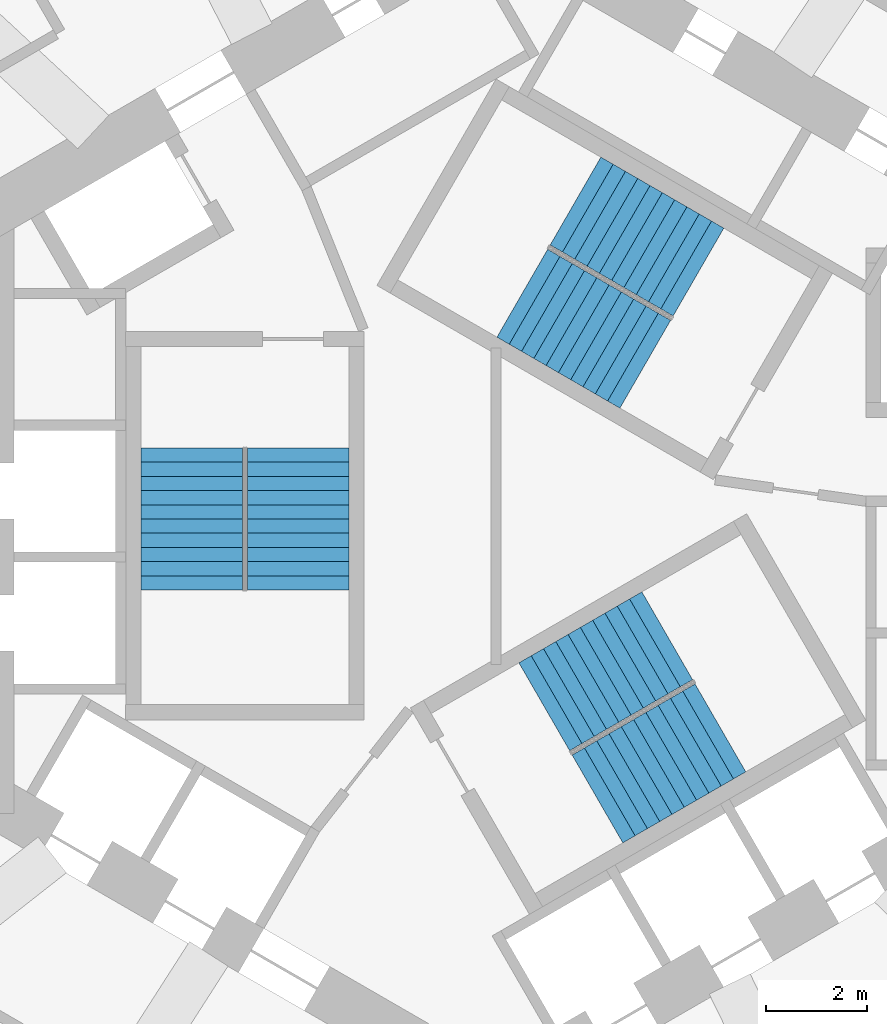
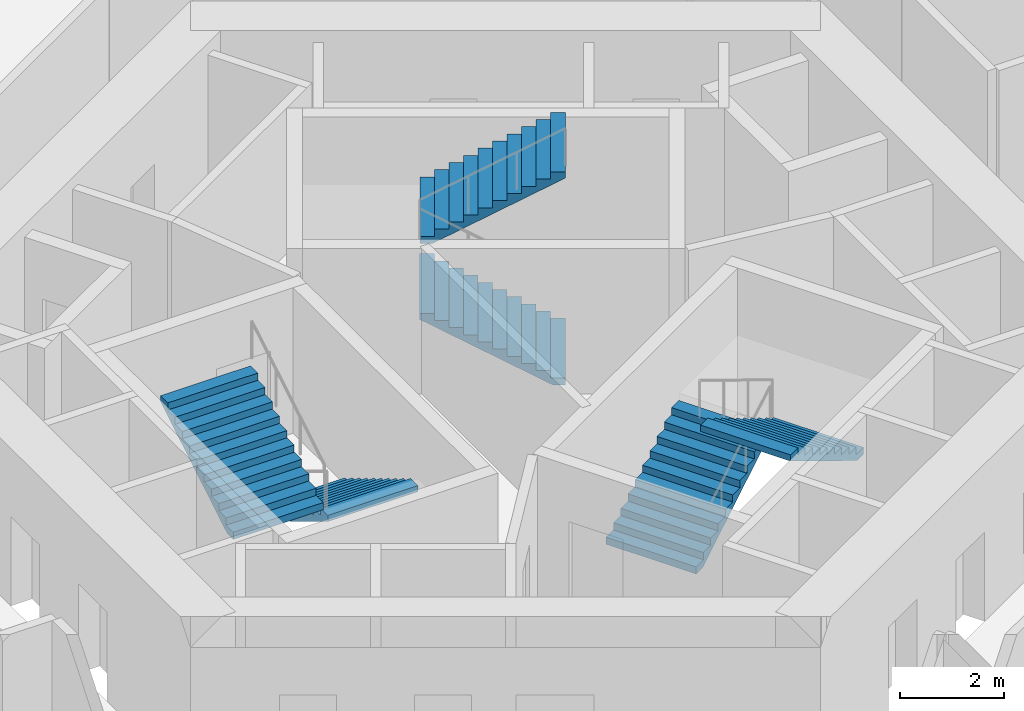
# One storey, part 8 of 10: 6 stair flights, 3 elements without a shape of their own.
"""IFC4 building model written with IfcOpenShell, lengths in metres."""

from ifc_helpers import new_model, si_unit, direction, frame, origin, place, context, subcontext, project, spatial, triangles, source, transform, mapped, material, type_object, element, aggregate, save


model = new_model("IFC4")

# Units and contexts
model_context = context("Model", 3, precision=1e-05, world=origin(), true_north=direction((0.0, 1.0)))
body_context = subcontext(model_context, "Body", "Model", "MODEL_VIEW")
ifc_project = project(units=[si_unit("LENGTHUNIT", "METRE"), si_unit("AREAUNIT", "SQUARE_METRE"), si_unit("VOLUMEUNIT", "CUBIC_METRE"), si_unit("PLANEANGLEUNIT", "RADIAN"), si_unit("MASSUNIT", "GRAM", prefix="KILO")], contexts=[model_context])

# Site, building, storey
site_placement = place(None, origin())
site = spatial("IfcSite", under=ifc_project, at=site_placement, CompositionType="ELEMENT")
building_placement = place(site_placement, origin())
building = spatial("IfcBuilding", under=site, at=building_placement, Name="Vanh Sen Convention Tower", CompositionType="ELEMENT")
storey_placement = place(building_placement, frame((0.0, 0.0, 157.699951171875)))
storey = spatial("IfcBuildingStorey", under=building, at=storey_placement, Name="L38", CompositionType="ELEMENT", Elevation=157.699951171875)

# Stair, stair flights
ifc_material_1 = material(Name="Concrete C50/60", Category="concrete")
stair_type_1 = type_object("IfcStairType", Name="Exit stair ST1 22 risers at 168.2", PredefinedType="HALF_TURN_STAIR", material=ifc_material_1)
stair_1_placement = place(storey_placement, origin())
stair_1 = element("IfcStair", 1, at=stair_1_placement, inside=storey, type_object=stair_type_1, Name="Exit stair ST1 L38", PredefinedType="HALF_TURN_STAIR")
ifc_material_2 = material(Name="Concrete C40/50", Category="concrete")
stair_flight_type = type_object("IfcStairFlightType", Name="Stair flight 2000", PredefinedType="STRAIGHT", material=ifc_material_2)
shared_shape = source(origin(), body_context, "Body", "Tessellation", [
    triangles([(0.24267578125, 1.0, 0.0), (0.0, 1.0, 0.0), (0.0, 1.0, 0.168212890625), (0.280029296875, 1.0, 0.168212890625), (0.280029296875, 1.0, 0.33642578125), (0.56005859375, 1.0, 0.33642578125), (0.56005859375, 1.0, 0.504638671875), (0.840087890625, 1.0, 0.504638671875), (0.840087890625, 1.0, 0.672607421875), (1.1201171875, 1.0, 0.672607421875), (1.1201171875, 1.0, 0.8408203125), (1.39990234375, 1.0, 0.8408203125), (1.39990234375, 1.0, 1.009033203125), (1.679931640625, 1.0, 1.009033203125), (1.679931640625, 1.0, 1.17724609375), (1.9599609375, 1.0, 1.17724609375), (1.9599609375, 1.0, 1.345458984375), (2.239990234375, 1.0, 1.345458984375), (2.239990234375, 1.0, 1.513671875), (2.52001953125, 1.0, 1.513671875), (2.52001953125, 1.0, 1.681884765625), (2.800048828125, 1.0, 1.681884765625), (2.800048828125, 1.0, 1.535888671875), (0.24267578125, -1.0, 0.0), (0.0, -1.0, 0.0), (0.0, -1.0, 0.168212890625), (0.280029296875, -1.0, 0.168212890625), (0.280029296875, -1.0, 0.33642578125), (0.56005859375, -1.0, 0.33642578125), (0.56005859375, -1.0, 0.504638671875), (0.840087890625, -1.0, 0.504638671875), (0.840087890625, -1.0, 0.672607421875), (1.1201171875, -1.0, 0.672607421875), (1.1201171875, -1.0, 0.8408203125), (1.39990234375, -1.0, 0.8408203125), (1.39990234375, -1.0, 1.009033203125), (1.679931640625, -1.0, 1.009033203125), (1.679931640625, -1.0, 1.17724609375), (1.9599609375, -1.0, 1.17724609375), (1.9599609375, -1.0, 1.345458984375), (2.239990234375, -1.0, 1.345458984375), (2.239990234375, -1.0, 1.513671875), (2.52001953125, -1.0, 1.513671875), (2.52001953125, -1.0, 1.681884765625), (2.800048828125, -1.0, 1.681884765625), (2.800048828125, -1.0, 1.535888671875), (0.0, 0.0400390625, 0.0), (0.0, 0.0390625, 0.0), (0.0, 0.0380859375, 0.0), (0.0, 0.037109375, 0.0), (0.0, 0.035888671875, 0.0), (0.0, 0.034912109375, 0.0), (0.0, 0.033935546875, 0.0), (0.0, 0.032958984375, 0.0), (0.0, 0.031982421875, 0.0), (0.0, 0.031005859375, 0.0), (0.0, 0.030029296875, 0.0), (0.0, 0.029052734375, 0.0), (0.0, 0.028076171875, 0.0), (0.0, 0.027099609375, 0.0), (0.0, 0.02587890625, 0.0), (0.0, 0.02490234375, 0.0), (0.0, 0.02392578125, 0.0), (0.0, 0.02294921875, 0.0), (0.0, 0.02197265625, 0.0), (0.0, 0.02099609375, 0.0), (0.0, 0.02001953125, 0.0), (0.0, 0.01904296875, 0.0), (0.0, 0.01806640625, 0.0), (0.0, 0.01708984375, 0.0), (0.0, 0.01611328125, 0.0), (0.0, 0.014892578125, 0.0), (0.0, 0.013916015625, 0.0), (0.0, 0.012939453125, 0.0), (0.0, 0.011962890625, 0.0), (0.0, 0.010986328125, 0.0), (0.0, 0.010009765625, 0.0), (0.0, 0.009033203125, 0.0), (0.0, 0.008056640625, 0.0), (0.0, 0.007080078125, 0.0), (0.0, 0.006103515625, 0.0), (0.0, 0.0048828125, 0.0), (0.0, 0.00390625, 0.0), (0.0, 0.0029296875, 0.0), (0.0, 0.001953125, 0.0), (0.0, 0.0009765625, 0.0), (0.0, 0.0, 0.0), (0.0, -0.0009765625, 0.0), (0.0, -0.001953125, 0.0), (0.0, -0.0029296875, 0.0), (0.0, -0.00390625, 0.0), (0.0, -0.0048828125, 0.0), (0.0, -0.006103515625, 0.0), (0.0, -0.007080078125, 0.0), (0.0, -0.008056640625, 0.0), (0.0, -0.009033203125, 0.0), (0.0, -0.010009765625, 0.0), (0.0, -0.010986328125, 0.0), (0.0, -0.011962890625, 0.0), (0.0, -0.012939453125, 0.0), (0.0, -0.013916015625, 0.0), (0.0, -0.014892578125, 0.0), (0.0, -0.01611328125, 0.0), (0.0, -0.01708984375, 0.0), (0.0, -0.01806640625, 0.0), (0.0, -0.01904296875, 0.0), (0.0, -0.02001953125, 0.0), (0.0, -0.02099609375, 0.0), (0.0, -0.02197265625, 0.0), (0.0, -0.02294921875, 0.0), (0.0, -0.02392578125, 0.0), (0.0, -0.02490234375, 0.0), (0.0, -0.02587890625, 0.0), (0.0, -0.027099609375, 0.0), (0.0, -0.028076171875, 0.0), (0.0, -0.029052734375, 0.0), (0.0, -0.030029296875, 0.0), (0.0, -0.031005859375, 0.0), (0.0, -0.031982421875, 0.0), (0.0, -0.032958984375, 0.0), (0.0, -0.033935546875, 0.0), (0.0, -0.034912109375, 0.0), (0.0, -0.035888671875, 0.0), (0.0, -0.037109375, 0.0), (0.0, -0.0380859375, 0.0), (0.0, -0.0390625, 0.0), (0.0, -0.0400390625, 0.0), (0.0, 0.0400390625, 0.168212890625), (0.0, 0.0390625, 0.168212890625), (0.0, 0.0380859375, 0.168212890625), (0.0, 0.037109375, 0.168212890625), (0.0, 0.035888671875, 0.168212890625), (0.0, 0.034912109375, 0.168212890625), (0.0, 0.033935546875, 0.168212890625), (0.0, 0.032958984375, 0.168212890625), (0.0, 0.031982421875, 0.168212890625), (0.0, 0.031005859375, 0.168212890625), (0.0, 0.030029296875, 0.168212890625), (0.0, 0.029052734375, 0.168212890625), (0.0, 0.028076171875, 0.168212890625), (0.0, 0.027099609375, 0.168212890625), (0.0, 0.02587890625, 0.168212890625), (0.0, 0.02490234375, 0.168212890625), (0.0, 0.02392578125, 0.168212890625), (0.0, 0.02294921875, 0.168212890625), (0.0, 0.02197265625, 0.168212890625), (0.0, 0.02099609375, 0.168212890625), (0.0, 0.02001953125, 0.168212890625), (0.0, 0.01904296875, 0.168212890625), (0.0, 0.01806640625, 0.168212890625), (0.0, 0.01708984375, 0.168212890625), (0.0, 0.01611328125, 0.168212890625), (0.0, 0.014892578125, 0.168212890625), (0.0, 0.013916015625, 0.168212890625), (0.0, 0.012939453125, 0.168212890625), (0.0, 0.011962890625, 0.168212890625), (0.0, 0.010986328125, 0.168212890625), (0.0, 0.010009765625, 0.168212890625), (0.0, 0.009033203125, 0.168212890625), (0.0, 0.008056640625, 0.168212890625), (0.0, 0.007080078125, 0.168212890625), (0.0, 0.006103515625, 0.168212890625), (0.0, 0.0048828125, 0.168212890625), (0.0, 0.00390625, 0.168212890625), (0.0, 0.0029296875, 0.168212890625), (0.0, 0.001953125, 0.168212890625), (0.0, 0.0009765625, 0.168212890625), (0.0, 0.0, 0.168212890625), (0.0, -0.0009765625, 0.168212890625), (0.0, -0.001953125, 0.168212890625), (0.0, -0.0029296875, 0.168212890625), (0.0, -0.00390625, 0.168212890625), (0.0, -0.0048828125, 0.168212890625), (0.0, -0.006103515625, 0.168212890625), (0.0, -0.007080078125, 0.168212890625), (0.0, -0.008056640625, 0.168212890625), (0.0, -0.009033203125, 0.168212890625), (0.0, -0.010009765625, 0.168212890625), (0.0, -0.010986328125, 0.168212890625), (0.0, -0.011962890625, 0.168212890625), (0.0, -0.012939453125, 0.168212890625), (0.0, -0.013916015625, 0.168212890625), (0.0, -0.014892578125, 0.168212890625), (0.0, -0.01611328125, 0.168212890625), (0.0, -0.01708984375, 0.168212890625), (0.0, -0.01806640625, 0.168212890625), (0.0, -0.01904296875, 0.168212890625), (0.0, -0.02001953125, 0.168212890625), (0.0, -0.02099609375, 0.168212890625), (0.0, -0.02197265625, 0.168212890625), (0.0, -0.02294921875, 0.168212890625), (0.0, -0.02392578125, 0.168212890625), (0.0, -0.02490234375, 0.168212890625), (0.0, -0.02587890625, 0.168212890625), (0.0, -0.027099609375, 0.168212890625), (0.0, -0.028076171875, 0.168212890625), (0.0, -0.029052734375, 0.168212890625), (0.0, -0.030029296875, 0.168212890625), (0.0, -0.031005859375, 0.168212890625), (0.0, -0.031982421875, 0.168212890625), (0.0, -0.032958984375, 0.168212890625), (0.0, -0.033935546875, 0.168212890625), (0.0, -0.034912109375, 0.168212890625), (0.0, -0.035888671875, 0.168212890625), (0.0, -0.037109375, 0.168212890625), (0.0, -0.0380859375, 0.168212890625), (0.0, -0.0390625, 0.168212890625), (0.0, -0.0400390625, 0.168212890625), (0.280029296875, 0.0, 0.168212890625), (0.280029296875, 0.0, 0.33642578125), (0.56005859375, 0.0, 0.33642578125), (0.56005859375, 0.0, 0.504638671875), (0.840087890625, 0.0, 0.504638671875), (0.840087890625, 0.0, 0.672607421875), (1.1201171875, 0.0, 0.672607421875), (1.1201171875, 0.0, 0.8408203125), (1.39990234375, 0.0, 0.8408203125), (1.39990234375, 0.0, 1.009033203125), (1.679931640625, 0.0, 1.009033203125), (1.679931640625, 0.0, 1.17724609375), (1.9599609375, 0.0, 1.17724609375), (1.9599609375, 0.0, 1.345458984375), (2.239990234375, 0.0, 1.345458984375), (2.239990234375, 0.0, 1.513671875), (2.52001953125, 0.0, 1.513671875), (2.52001953125, 0.0, 1.681884765625), (2.800048828125, 0.0400390625, 1.681884765625), (2.800048828125, 0.0390625, 1.681884765625), (2.800048828125, 0.0380859375, 1.681884765625), (2.800048828125, 0.037109375, 1.681884765625), (2.800048828125, 0.035888671875, 1.681884765625), (2.800048828125, 0.034912109375, 1.681884765625), (2.800048828125, 0.033935546875, 1.681884765625), (2.800048828125, 0.032958984375, 1.681884765625), (2.800048828125, 0.031982421875, 1.681884765625), (2.800048828125, 0.031005859375, 1.681884765625), (2.800048828125, 0.030029296875, 1.681884765625), (2.800048828125, 0.029052734375, 1.681884765625), (2.800048828125, 0.028076171875, 1.681884765625), (2.800048828125, 0.027099609375, 1.681884765625), (2.800048828125, 0.02587890625, 1.681884765625), (2.800048828125, 0.02490234375, 1.681884765625), (2.800048828125, 0.02392578125, 1.681884765625), (2.800048828125, 0.02294921875, 1.681884765625), (2.800048828125, 0.02197265625, 1.681884765625), (2.800048828125, 0.02099609375, 1.681884765625), (2.800048828125, 0.02001953125, 1.681884765625), (2.800048828125, 0.01904296875, 1.681884765625), (2.800048828125, 0.01806640625, 1.681884765625), (2.800048828125, 0.01708984375, 1.681884765625), (2.800048828125, 0.01611328125, 1.681884765625), (2.800048828125, 0.014892578125, 1.681884765625), (2.800048828125, 0.013916015625, 1.681884765625), (2.800048828125, 0.012939453125, 1.681884765625), (2.800048828125, 0.011962890625, 1.681884765625), (2.800048828125, 0.010986328125, 1.681884765625), (2.800048828125, 0.010009765625, 1.681884765625), (2.800048828125, 0.009033203125, 1.681884765625), (2.800048828125, 0.008056640625, 1.681884765625), (2.800048828125, 0.007080078125, 1.681884765625), (2.800048828125, 0.006103515625, 1.681884765625), (2.800048828125, 0.0048828125, 1.681884765625), (2.800048828125, 0.00390625, 1.681884765625), (2.800048828125, 0.0029296875, 1.681884765625), (2.800048828125, 0.001953125, 1.681884765625), (2.800048828125, 0.0009765625, 1.681884765625), (2.800048828125, 0.0, 1.681884765625), (2.800048828125, -0.0009765625, 1.681884765625), (2.800048828125, -0.001953125, 1.681884765625), (2.800048828125, -0.0029296875, 1.681884765625), (2.800048828125, -0.00390625, 1.681884765625), (2.800048828125, -0.0048828125, 1.681884765625), (2.800048828125, -0.006103515625, 1.681884765625), (2.800048828125, -0.007080078125, 1.681884765625), (2.800048828125, -0.008056640625, 1.681884765625), (2.800048828125, -0.009033203125, 1.681884765625), (2.800048828125, -0.010009765625, 1.681884765625), (2.800048828125, -0.010986328125, 1.681884765625), (2.800048828125, -0.011962890625, 1.681884765625), (2.800048828125, -0.012939453125, 1.681884765625), (2.800048828125, -0.013916015625, 1.681884765625), (2.800048828125, -0.014892578125, 1.681884765625), (2.800048828125, -0.01611328125, 1.681884765625), (2.800048828125, -0.01708984375, 1.681884765625), (2.800048828125, -0.01806640625, 1.681884765625), (2.800048828125, -0.01904296875, 1.681884765625), (2.800048828125, -0.02001953125, 1.681884765625), (2.800048828125, -0.02099609375, 1.681884765625), (2.800048828125, -0.02197265625, 1.681884765625), (2.800048828125, -0.02294921875, 1.681884765625), (2.800048828125, -0.02392578125, 1.681884765625), (2.800048828125, -0.02490234375, 1.681884765625), (2.800048828125, -0.02587890625, 1.681884765625), (2.800048828125, -0.027099609375, 1.681884765625), (2.800048828125, -0.028076171875, 1.681884765625), (2.800048828125, -0.029052734375, 1.681884765625), (2.800048828125, -0.030029296875, 1.681884765625), (2.800048828125, -0.031005859375, 1.681884765625), (2.800048828125, -0.031982421875, 1.681884765625), (2.800048828125, -0.032958984375, 1.681884765625), (2.800048828125, -0.033935546875, 1.681884765625), (2.800048828125, -0.034912109375, 1.681884765625), (2.800048828125, -0.035888671875, 1.681884765625), (2.800048828125, -0.037109375, 1.681884765625), (2.800048828125, -0.0380859375, 1.681884765625), (2.800048828125, -0.0390625, 1.681884765625), (2.800048828125, -0.0400390625, 1.681884765625), (2.800048828125, 0.0400390625, 1.535888671875), (2.800048828125, 0.0390625, 1.535888671875), (2.800048828125, 0.0380859375, 1.535888671875), (2.800048828125, 0.037109375, 1.535888671875), (2.800048828125, 0.035888671875, 1.535888671875), (2.800048828125, 0.034912109375, 1.535888671875), (2.800048828125, 0.033935546875, 1.535888671875), (2.800048828125, 0.032958984375, 1.535888671875), (2.800048828125, 0.031982421875, 1.535888671875), (2.800048828125, 0.031005859375, 1.535888671875), (2.800048828125, 0.030029296875, 1.535888671875), (2.800048828125, 0.029052734375, 1.535888671875), (2.800048828125, 0.028076171875, 1.535888671875), (2.800048828125, 0.027099609375, 1.535888671875), (2.800048828125, 0.02587890625, 1.535888671875), (2.800048828125, 0.02490234375, 1.535888671875), (2.800048828125, 0.02392578125, 1.535888671875), (2.800048828125, 0.02294921875, 1.535888671875), (2.800048828125, 0.02197265625, 1.535888671875), (2.800048828125, 0.02099609375, 1.535888671875), (2.800048828125, 0.02001953125, 1.535888671875), (2.800048828125, 0.01904296875, 1.535888671875), (2.800048828125, 0.01806640625, 1.535888671875), (2.800048828125, 0.01708984375, 1.535888671875), (2.800048828125, 0.01611328125, 1.535888671875), (2.800048828125, 0.014892578125, 1.535888671875), (2.800048828125, 0.013916015625, 1.535888671875), (2.800048828125, 0.012939453125, 1.535888671875), (2.800048828125, 0.011962890625, 1.535888671875), (2.800048828125, 0.010986328125, 1.535888671875), (2.800048828125, 0.010009765625, 1.535888671875), (2.800048828125, 0.009033203125, 1.535888671875), (2.800048828125, 0.008056640625, 1.535888671875), (2.800048828125, 0.007080078125, 1.535888671875), (2.800048828125, 0.006103515625, 1.535888671875), (2.800048828125, 0.0048828125, 1.535888671875), (2.800048828125, 0.00390625, 1.535888671875), (2.800048828125, 0.0029296875, 1.535888671875), (2.800048828125, 0.001953125, 1.535888671875), (2.800048828125, 0.0009765625, 1.535888671875), (2.800048828125, 0.0, 1.535888671875), (2.800048828125, -0.0009765625, 1.535888671875), (2.800048828125, -0.001953125, 1.535888671875), (2.800048828125, -0.0029296875, 1.535888671875), (2.800048828125, -0.00390625, 1.535888671875), (2.800048828125, -0.0048828125, 1.535888671875), (2.800048828125, -0.006103515625, 1.535888671875), (2.800048828125, -0.007080078125, 1.535888671875), (2.800048828125, -0.008056640625, 1.535888671875), (2.800048828125, -0.009033203125, 1.535888671875), (2.800048828125, -0.010009765625, 1.535888671875), (2.800048828125, -0.010986328125, 1.535888671875), (2.800048828125, -0.011962890625, 1.535888671875), (2.800048828125, -0.012939453125, 1.535888671875), (2.800048828125, -0.013916015625, 1.535888671875), (2.800048828125, -0.014892578125, 1.535888671875), (2.800048828125, -0.01611328125, 1.535888671875), (2.800048828125, -0.01708984375, 1.535888671875), (2.800048828125, -0.01806640625, 1.535888671875), (2.800048828125, -0.01904296875, 1.535888671875), (2.800048828125, -0.02001953125, 1.535888671875), (2.800048828125, -0.02099609375, 1.535888671875), (2.800048828125, -0.02197265625, 1.535888671875), (2.800048828125, -0.02294921875, 1.535888671875), (2.800048828125, -0.02392578125, 1.535888671875), (2.800048828125, -0.02490234375, 1.535888671875), (2.800048828125, -0.02587890625, 1.535888671875), (2.800048828125, -0.027099609375, 1.535888671875), (2.800048828125, -0.028076171875, 1.535888671875), (2.800048828125, -0.029052734375, 1.535888671875), (2.800048828125, -0.030029296875, 1.535888671875), (2.800048828125, -0.031005859375, 1.535888671875), (2.800048828125, -0.031982421875, 1.535888671875), (2.800048828125, -0.032958984375, 1.535888671875), (2.800048828125, -0.033935546875, 1.535888671875), (2.800048828125, -0.034912109375, 1.535888671875), (2.800048828125, -0.035888671875, 1.535888671875), (2.800048828125, -0.037109375, 1.535888671875), (2.800048828125, -0.0380859375, 1.535888671875), (2.800048828125, -0.0390625, 1.535888671875), (2.800048828125, -0.0400390625, 1.535888671875), (0.24267578125, 0.0, 0.0)], [[1, 2, 3], [1, 3, 4], [4, 5, 6], [1, 4, 6], [6, 7, 8], [1, 6, 8], [8, 9, 10], [1, 8, 10], [10, 11, 12], [1, 10, 12], [12, 13, 14], [1, 12, 14], [14, 15, 16], [1, 14, 16], [16, 17, 18], [1, 16, 18], [18, 19, 20], [1, 18, 20], [20, 21, 22], [1, 20, 22], [22, 23, 1], [24, 26, 25], [24, 27, 26], [27, 29, 28], [24, 29, 27], [29, 31, 30], [24, 31, 29], [31, 33, 32], [24, 33, 31], [33, 35, 34], [24, 35, 33], [35, 37, 36], [24, 37, 35], [37, 39, 38], [24, 39, 37], [39, 41, 40], [24, 41, 39], [41, 43, 42], [24, 43, 41], [43, 45, 44], [24, 45, 43], [45, 24, 46], [2, 128, 3], [2, 47, 128], [47, 129, 128], [47, 48, 129], [48, 130, 129], [48, 49, 130], [49, 131, 130], [49, 50, 131], [50, 132, 131], [50, 51, 132], [51, 133, 132], [51, 52, 133], [52, 134, 133], [52, 53, 134], [53, 135, 134], [53, 54, 135], [54, 136, 135], [54, 55, 136], [55, 137, 136], [55, 56, 137], [56, 138, 137], [56, 57, 138], [57, 139, 138], [57, 58, 139], [58, 140, 139], [58, 59, 140], [59, 141, 140], [59, 60, 141], [60, 142, 141], [60, 61, 142], [61, 143, 142], [61, 62, 143], [62, 144, 143], [62, 63, 144], [63, 145, 144], [63, 64, 145], [64, 146, 145], [64, 65, 146], [65, 147, 146], [65, 66, 147], [66, 148, 147], [66, 67, 148], [67, 149, 148], [67, 68, 149], [68, 150, 149], [68, 69, 150], [69, 151, 150], [69, 70, 151], [70, 152, 151], [70, 71, 152], [71, 153, 152], [71, 72, 153], [72, 154, 153], [72, 73, 154], [73, 155, 154], [73, 74, 155], [74, 156, 155], [74, 75, 156], [75, 157, 156], [75, 76, 157], [76, 158, 157], [76, 77, 158], [77, 159, 158], [77, 78, 159], [78, 160, 159], [78, 79, 160], [79, 161, 160], [79, 80, 161], [80, 162, 161], [80, 81, 162], [81, 163, 162], [81, 82, 163], [82, 164, 163], [82, 83, 164], [83, 165, 164], [83, 84, 165], [84, 166, 165], [84, 85, 166], [85, 167, 166], [85, 86, 167], [86, 168, 167], [86, 87, 168], [87, 88, 168], [168, 88, 169], [88, 89, 169], [169, 89, 170], [89, 90, 170], [170, 90, 171], [90, 91, 171], [171, 91, 172], [91, 92, 172], [172, 92, 173], [92, 93, 173], [173, 93, 174], [93, 94, 174], [174, 94, 175], [94, 95, 175], [175, 95, 176], [95, 96, 176], [176, 96, 177], [96, 97, 177], [177, 97, 178], [97, 98, 178], [178, 98, 179], [98, 99, 179], [179, 99, 180], [99, 100, 180], [180, 100, 181], [100, 101, 181], [181, 101, 182], [101, 102, 182], [182, 102, 183], [102, 103, 183], [183, 103, 184], [103, 104, 184], [184, 104, 185], [104, 105, 185], [185, 105, 186], [105, 106, 186], [186, 106, 187], [106, 107, 187], [187, 107, 188], [107, 108, 188], [188, 108, 189], [108, 109, 189], [189, 109, 190], [109, 110, 190], [190, 110, 191], [110, 111, 191], [191, 111, 192], [111, 112, 192], [192, 112, 193], [112, 113, 193], [193, 113, 194], [113, 114, 194], [194, 114, 195], [114, 115, 195], [195, 115, 196], [115, 116, 196], [196, 116, 197], [116, 117, 197], [197, 117, 198], [117, 118, 198], [198, 118, 199], [118, 119, 199], [199, 119, 200], [119, 120, 200], [200, 120, 201], [120, 121, 201], [201, 121, 202], [121, 122, 202], [202, 122, 203], [122, 123, 203], [203, 123, 204], [123, 124, 204], [204, 124, 205], [124, 125, 205], [205, 125, 206], [125, 126, 206], [206, 126, 207], [126, 127, 207], [207, 127, 208], [127, 25, 208], [208, 25, 26], [4, 3, 128], [4, 128, 129], [4, 129, 130], [4, 130, 131], [4, 131, 132], [4, 132, 133], [4, 133, 134], [4, 134, 135], [4, 135, 136], [4, 136, 137], [4, 137, 138], [4, 138, 139], [4, 139, 140], [4, 140, 141], [4, 141, 142], [4, 142, 143], [4, 143, 144], [4, 144, 145], [4, 145, 146], [4, 146, 147], [4, 147, 148], [4, 148, 149], [4, 149, 150], [4, 150, 151], [4, 151, 152], [4, 152, 153], [4, 153, 154], [4, 154, 155], [4, 155, 156], [4, 156, 157], [4, 157, 158], [4, 158, 159], [4, 159, 160], [4, 160, 161], [4, 161, 162], [4, 162, 163], [4, 163, 164], [4, 164, 165], [4, 165, 166], [4, 166, 167], [4, 167, 168], [27, 168, 169], [27, 169, 170], [27, 170, 171], [27, 171, 172], [27, 172, 173], [27, 173, 174], [27, 174, 175], [27, 175, 176], [27, 176, 177], [27, 177, 178], [27, 178, 179], [27, 179, 180], [27, 180, 181], [27, 181, 182], [27, 182, 183], [27, 183, 184], [27, 184, 185], [27, 185, 186], [27, 186, 187], [27, 187, 188], [27, 188, 189], [27, 189, 190], [27, 190, 191], [27, 191, 192], [27, 192, 193], [27, 193, 194], [27, 194, 195], [27, 195, 196], [27, 196, 197], [27, 197, 198], [27, 198, 199], [27, 199, 200], [27, 200, 201], [27, 201, 202], [27, 202, 203], [27, 203, 204], [27, 204, 205], [27, 205, 206], [27, 206, 207], [27, 207, 208], [27, 208, 26], [4, 168, 209], [27, 209, 168], [4, 210, 5], [4, 209, 210], [209, 27, 210], [210, 27, 28], [5, 211, 6], [5, 210, 211], [210, 28, 211], [211, 28, 29], [6, 212, 7], [6, 211, 212], [211, 29, 212], [212, 29, 30], [7, 213, 8], [7, 212, 213], [212, 30, 213], [213, 30, 31], [8, 214, 9], [8, 213, 214], [213, 31, 214], [214, 31, 32], [9, 215, 10], [9, 214, 215], [214, 32, 215], [215, 32, 33], [10, 216, 11], [10, 215, 216], [215, 33, 216], [216, 33, 34], [11, 217, 12], [11, 216, 217], [216, 34, 217], [217, 34, 35], [12, 218, 13], [12, 217, 218], [217, 35, 218], [218, 35, 36], [13, 219, 14], [13, 218, 219], [218, 36, 219], [219, 36, 37], [14, 220, 15], [14, 219, 220], [219, 37, 220], [220, 37, 38], [15, 221, 16], [15, 220, 221], [220, 38, 221], [221, 38, 39], [16, 222, 17], [16, 221, 222], [221, 39, 222], [222, 39, 40], [17, 223, 18], [17, 222, 223], [222, 40, 223], [223, 40, 41], [18, 224, 19], [18, 223, 224], [223, 41, 224], [224, 41, 42], [19, 225, 20], [19, 224, 225], [224, 42, 225], [225, 42, 43], [20, 226, 21], [20, 225, 226], [225, 43, 226], [226, 43, 44], [21, 227, 22], [21, 228, 227], [21, 229, 228], [21, 230, 229], [21, 231, 230], [21, 232, 231], [21, 233, 232], [21, 234, 233], [21, 235, 234], [21, 236, 235], [21, 237, 236], [21, 238, 237], [21, 239, 238], [21, 240, 239], [21, 241, 240], [21, 242, 241], [21, 243, 242], [21, 244, 243], [21, 245, 244], [21, 246, 245], [21, 247, 246], [21, 248, 247], [21, 249, 248], [21, 250, 249], [21, 251, 250], [21, 252, 251], [21, 253, 252], [21, 254, 253], [21, 255, 254], [21, 256, 255], [21, 257, 256], [21, 258, 257], [21, 259, 258], [21, 260, 259], [21, 261, 260], [21, 262, 261], [21, 263, 262], [21, 264, 263], [21, 265, 264], [21, 266, 265], [21, 267, 266], [44, 268, 267], [44, 269, 268], [44, 270, 269], [44, 271, 270], [44, 272, 271], [44, 273, 272], [44, 274, 273], [44, 275, 274], [44, 276, 275], [44, 277, 276], [44, 278, 277], [44, 279, 278], [44, 280, 279], [44, 281, 280], [44, 282, 281], [44, 283, 282], [44, 284, 283], [44, 285, 284], [44, 286, 285], [44, 287, 286], [44, 288, 287], [44, 289, 288], [44, 290, 289], [44, 291, 290], [44, 292, 291], [44, 293, 292], [44, 294, 293], [44, 295, 294], [44, 296, 295], [44, 297, 296], [44, 298, 297], [44, 299, 298], [44, 300, 299], [44, 301, 300], [44, 302, 301], [44, 303, 302], [44, 304, 303], [44, 305, 304], [44, 306, 305], [44, 307, 306], [44, 45, 307], [21, 226, 267], [44, 267, 226], [22, 308, 23], [22, 227, 308], [227, 309, 308], [227, 228, 309], [228, 310, 309], [228, 229, 310], [229, 311, 310], [229, 230, 311], [230, 312, 311], [230, 231, 312], [231, 313, 312], [231, 232, 313], [232, 314, 313], [232, 233, 314], [233, 315, 314], [233, 234, 315], [234, 316, 315], [234, 235, 316], [235, 317, 316], [235, 236, 317], [236, 318, 317], [236, 237, 318], [237, 319, 318], [237, 238, 319], [238, 320, 319], [238, 239, 320], [239, 321, 320], [239, 240, 321], [240, 322, 321], [240, 241, 322], [241, 323, 322], [241, 242, 323], [242, 324, 323], [242, 243, 324], [243, 325, 324], [243, 244, 325], [244, 326, 325], [244, 245, 326], [245, 327, 326], [245, 246, 327], [246, 328, 327], [246, 247, 328], [247, 329, 328], [247, 248, 329], [248, 330, 329], [248, 249, 330], [249, 331, 330], [249, 250, 331], [250, 332, 331], [250, 251, 332], [251, 333, 332], [251, 252, 333], [252, 334, 333], [252, 253, 334], [253, 335, 334], [253, 254, 335], [254, 336, 335], [254, 255, 336], [255, 337, 336], [255, 256, 337], [256, 338, 337], [256, 257, 338], [257, 339, 338], [257, 258, 339], [258, 340, 339], [258, 259, 340], [259, 341, 340], [259, 260, 341], [260, 342, 341], [260, 261, 342], [261, 343, 342], [261, 262, 343], [262, 344, 343], [262, 263, 344], [263, 345, 344], [263, 264, 345], [264, 346, 345], [264, 265, 346], [265, 347, 346], [265, 266, 347], [266, 348, 347], [266, 267, 348], [267, 268, 348], [348, 268, 349], [268, 269, 349], [349, 269, 350], [269, 270, 350], [350, 270, 351], [270, 271, 351], [351, 271, 352], [271, 272, 352], [352, 272, 353], [272, 273, 353], [353, 273, 354], [273, 274, 354], [354, 274, 355], [274, 275, 355], [355, 275, 356], [275, 276, 356], [356, 276, 357], [276, 277, 357], [357, 277, 358], [277, 278, 358], [358, 278, 359], [278, 279, 359], [359, 279, 360], [279, 280, 360], [360, 280, 361], [280, 281, 361], [361, 281, 362], [281, 282, 362], [362, 282, 363], [282, 283, 363], [363, 283, 364], [283, 284, 364], [364, 284, 365], [284, 285, 365], [365, 285, 366], [285, 286, 366], [366, 286, 367], [286, 287, 367], [367, 287, 368], [287, 288, 368], [368, 288, 369], [288, 289, 369], [369, 289, 370], [289, 290, 370], [370, 290, 371], [290, 291, 371], [371, 291, 372], [291, 292, 372], [372, 292, 373], [292, 293, 373], [373, 293, 374], [293, 294, 374], [374, 294, 375], [294, 295, 375], [375, 295, 376], [295, 296, 376], [376, 296, 377], [296, 297, 377], [377, 297, 378], [297, 298, 378], [378, 298, 379], [298, 299, 379], [379, 299, 380], [299, 300, 380], [380, 300, 381], [300, 301, 381], [381, 301, 382], [301, 302, 382], [382, 302, 383], [302, 303, 383], [383, 303, 384], [303, 304, 384], [384, 304, 385], [304, 305, 385], [385, 305, 386], [305, 306, 386], [386, 306, 387], [306, 307, 387], [387, 307, 388], [307, 45, 388], [388, 45, 46], [1, 23, 308], [1, 308, 309], [1, 309, 310], [1, 310, 311], [1, 311, 312], [1, 312, 313], [1, 313, 314], [1, 314, 315], [1, 315, 316], [1, 316, 317], [1, 317, 318], [1, 318, 319], [1, 319, 320], [1, 320, 321], [1, 321, 322], [1, 322, 323], [1, 323, 324], [1, 324, 325], [1, 325, 326], [1, 326, 327], [1, 327, 328], [1, 328, 329], [1, 329, 330], [1, 330, 331], [1, 331, 332], [1, 332, 333], [1, 333, 334], [1, 334, 335], [1, 335, 336], [1, 336, 337], [1, 337, 338], [1, 338, 339], [1, 339, 340], [1, 340, 341], [1, 341, 342], [1, 342, 343], [1, 343, 344], [1, 344, 345], [1, 345, 346], [1, 346, 347], [1, 347, 348], [24, 348, 349], [24, 349, 350], [24, 350, 351], [24, 351, 352], [24, 352, 353], [24, 353, 354], [24, 354, 355], [24, 355, 356], [24, 356, 357], [24, 357, 358], [24, 358, 359], [24, 359, 360], [24, 360, 361], [24, 361, 362], [24, 362, 363], [24, 363, 364], [24, 364, 365], [24, 365, 366], [24, 366, 367], [24, 367, 368], [24, 368, 369], [24, 369, 370], [24, 370, 371], [24, 371, 372], [24, 372, 373], [24, 373, 374], [24, 374, 375], [24, 375, 376], [24, 376, 377], [24, 377, 378], [24, 378, 379], [24, 379, 380], [24, 380, 381], [24, 381, 382], [24, 382, 383], [24, 383, 384], [24, 384, 385], [24, 385, 386], [24, 386, 387], [24, 387, 388], [24, 388, 46], [1, 348, 389], [24, 389, 348], [1, 47, 2], [1, 48, 47], [1, 49, 48], [1, 50, 49], [1, 51, 50], [1, 52, 51], [1, 53, 52], [1, 54, 53], [1, 55, 54], [1, 56, 55], [1, 57, 56], [1, 58, 57], [1, 59, 58], [1, 60, 59], [1, 61, 60], [1, 62, 61], [1, 63, 62], [1, 64, 63], [1, 65, 64], [1, 66, 65], [1, 67, 66], [1, 68, 67], [1, 69, 68], [1, 70, 69], [1, 71, 70], [1, 72, 71], [1, 73, 72], [1, 74, 73], [1, 75, 74], [1, 76, 75], [1, 77, 76], [1, 78, 77], [1, 79, 78], [1, 80, 79], [1, 81, 80], [1, 82, 81], [1, 83, 82], [1, 84, 83], [1, 85, 84], [1, 86, 85], [1, 87, 86], [24, 88, 87], [24, 89, 88], [24, 90, 89], [24, 91, 90], [24, 92, 91], [24, 93, 92], [24, 94, 93], [24, 95, 94], [24, 96, 95], [24, 97, 96], [24, 98, 97], [24, 99, 98], [24, 100, 99], [24, 101, 100], [24, 102, 101], [24, 103, 102], [24, 104, 103], [24, 105, 104], [24, 106, 105], [24, 107, 106], [24, 108, 107], [24, 109, 108], [24, 110, 109], [24, 111, 110], [24, 112, 111], [24, 113, 112], [24, 114, 113], [24, 115, 114], [24, 116, 115], [24, 117, 116], [24, 118, 117], [24, 119, 118], [24, 120, 119], [24, 121, 120], [24, 122, 121], [24, 123, 122], [24, 124, 123], [24, 125, 124], [24, 126, 125], [24, 127, 126], [24, 25, 127], [1, 389, 87], [24, 87, 389]], closed=True),
])
stair_flight_1_placement = place(storey_placement, frame((2.94580078125, 2.802490234375, 0.0), z_axis=(0.0, 0.0, 1.0), x_axis=(-0.866025403784, 0.5, 0.0)))
stair_flight_1 = element("IfcStairFlight", 2, at=stair_flight_1_placement, type_object=stair_flight_type, Name="ST1 flight 1", NumberOfRisers=11, NumberOfTreads=10, PredefinedType="STRAIGHT", RiserHeight=0.168181818, TreadLength=0.28, context=body_context, shape_type="MappedRepresentation", body=[
    mapped(shared_shape, transform((0.0, 0.0, 0.0))),
])
stair_flight_2_placement = place(storey_placement, frame((1.571044921875, 6.021240234375, 1.85009765625), z_axis=(0.0, 0.0, 1.0), x_axis=(0.866025403784, -0.5, 0.0)))
stair_flight_2 = element("IfcStairFlight", 3, at=stair_flight_2_placement, type_object=stair_flight_type, Name="ST1 flight 2", NumberOfRisers=11, NumberOfTreads=10, PredefinedType="STRAIGHT", RiserHeight=0.168181818, TreadLength=0.28, context=body_context, shape_type="MappedRepresentation", body=[
    mapped(shared_shape, transform((0.0, 0.0, 0.0))),
])
aggregate(stair_1, [stair_flight_1, stair_flight_2])

stair_type_2 = type_object("IfcStairType", Name="Exit stair ST2 22 risers at 168.2", PredefinedType="HALF_TURN_STAIR", material=ifc_material_1)
stair_2_placement = place(storey_placement, origin())
stair_2 = element("IfcStair", 4, at=stair_2_placement, inside=storey, type_object=stair_type_2, Name="Exit stair ST2 L38", PredefinedType="HALF_TURN_STAIR")
stair_flight_3_placement = place(storey_placement, frame((-3.89990234375, 1.14990234375, 0.0), z_axis=(0.0, 0.0, 1.0), x_axis=(0.0, -1.0, 0.0)))
stair_flight_3 = element("IfcStairFlight", 5, at=stair_flight_3_placement, type_object=stair_flight_type, Name="ST2 flight 1", NumberOfRisers=11, NumberOfTreads=10, PredefinedType="STRAIGHT", RiserHeight=0.168181818, TreadLength=0.28, context=body_context, shape_type="MappedRepresentation", body=[
    mapped(shared_shape, transform((0.0, 0.0, 0.0))),
])
stair_flight_4_placement = place(storey_placement, frame((-6.0, -1.64990234375, 1.85009765625), z_axis=(0.0, 0.0, 1.0), x_axis=(0.0, 1.0, 0.0)))
stair_flight_4 = element("IfcStairFlight", 6, at=stair_flight_4_placement, type_object=stair_flight_type, Name="ST2 flight 2", NumberOfRisers=11, NumberOfTreads=10, PredefinedType="STRAIGHT", RiserHeight=0.168181818, TreadLength=0.28, context=body_context, shape_type="MappedRepresentation", body=[
    mapped(shared_shape, transform((0.0, 0.0, 0.0))),
])
aggregate(stair_2, [stair_flight_3, stair_flight_4])

stair_type_3 = type_object("IfcStairType", Name="Exit stair ST3 22 risers at 168.2", PredefinedType="HALF_TURN_STAIR", material=ifc_material_1)
stair_3_placement = place(storey_placement, origin())
stair_3 = element("IfcStair", 7, at=stair_3_placement, inside=storey, type_object=stair_type_3, Name="Exit stair ST3 L38", PredefinedType="HALF_TURN_STAIR")
stair_flight_5_placement = place(storey_placement, frame((0.9541015625, -3.952392578125, 0.0), z_axis=(0.0, 0.0, 1.0), x_axis=(0.866025403784, 0.5, 0.0)))
stair_flight_5 = element("IfcStairFlight", 8, at=stair_flight_5_placement, type_object=stair_flight_type, Name="ST3 flight 1", NumberOfRisers=11, NumberOfTreads=10, PredefinedType="STRAIGHT", RiserHeight=0.168181818, TreadLength=0.28, context=body_context, shape_type="MappedRepresentation", body=[
    mapped(shared_shape, transform((0.0, 0.0, 0.0))),
])
stair_flight_6_placement = place(storey_placement, frame((4.428955078125, -4.37109375, 1.85009765625), z_axis=(0.0, 0.0, 1.0), x_axis=(-0.866025403784, -0.5, 0.0)))
stair_flight_6 = element("IfcStairFlight", 9, at=stair_flight_6_placement, type_object=stair_flight_type, Name="ST3 flight 2", NumberOfRisers=11, NumberOfTreads=10, PredefinedType="STRAIGHT", RiserHeight=0.168181818, TreadLength=0.28, context=body_context, shape_type="MappedRepresentation", body=[
    mapped(shared_shape, transform((0.0, 0.0, 0.0))),
])
aggregate(stair_3, [stair_flight_5, stair_flight_6])

save(model, "model.ifc")
